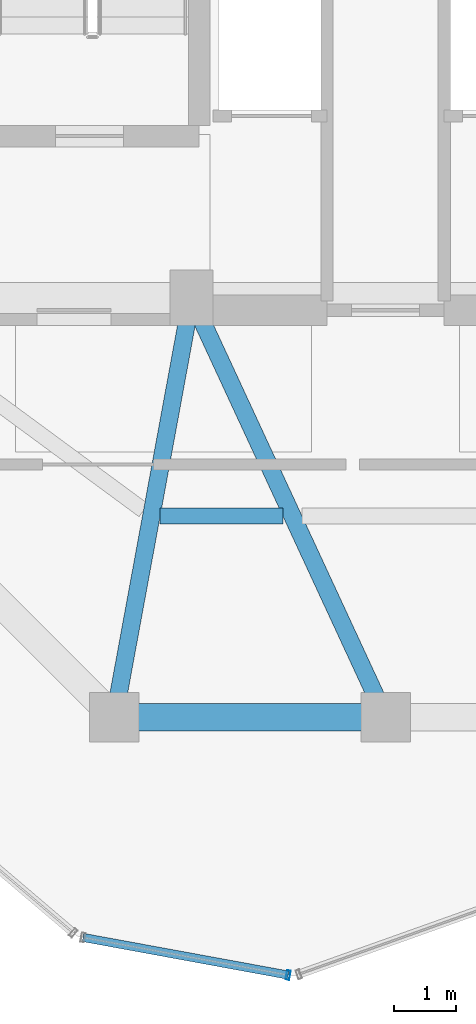
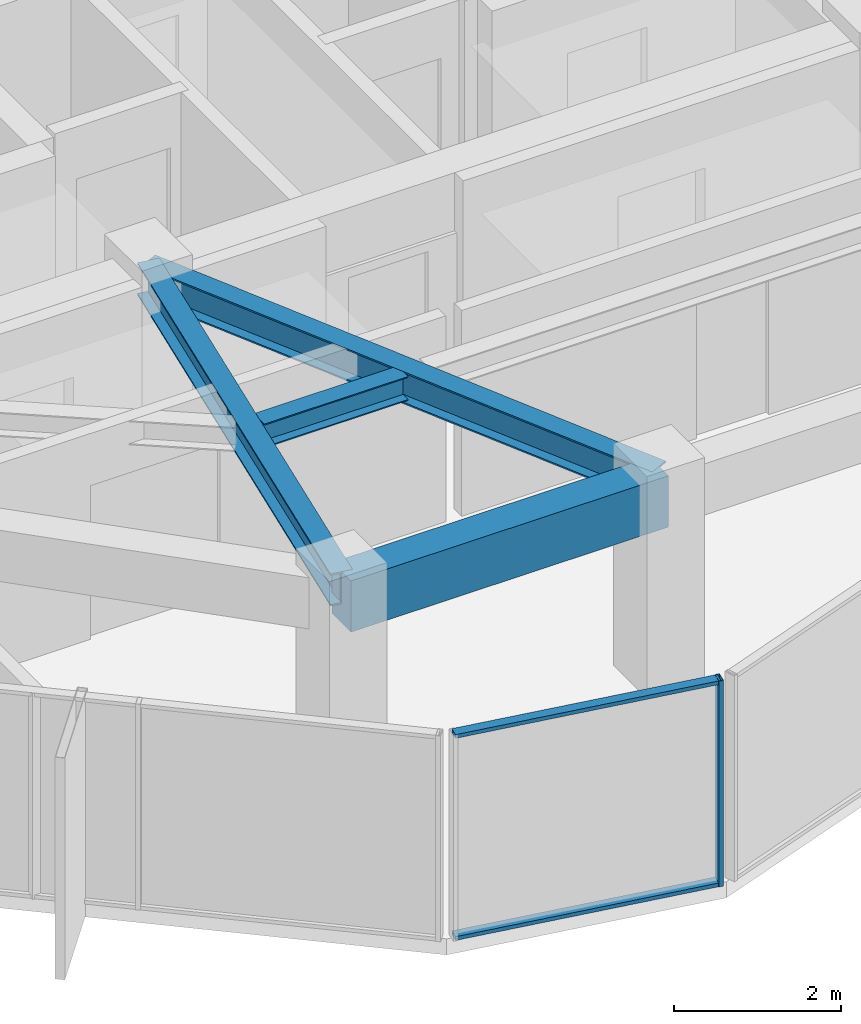
# One storey, part 5 of 29: 4 beams, 3 members, 1 element without a shape of its own.
"""IFC4 building model written with IfcOpenShell, lengths in metres."""

from ifc_helpers import new_model, si_unit, direction, frame, origin, origin_2d, place, context, subcontext, project, spatial, rectangle, hollow_rectangle, i_section, extrude, source, transform, mapped, material, layer, layer_set, material_profile, profile_set, type_object, element, aggregate, save


model = new_model("IFC4")

# Units and contexts
model_context = context("Model", 3, precision=1e-05, world=origin(), true_north=direction((0.0, 1.0)))
body_context = subcontext(model_context, "Body", "Model", "MODEL_VIEW")
ifc_project = project(units=[si_unit("LENGTHUNIT", "METRE"), si_unit("AREAUNIT", "SQUARE_METRE"), si_unit("VOLUMEUNIT", "CUBIC_METRE"), si_unit("PLANEANGLEUNIT", "RADIAN"), si_unit("MASSUNIT", "GRAM", prefix="KILO")], contexts=[model_context])

# Site, building, storey
site_placement = place(None, origin())
site = spatial("IfcSite", under=ifc_project, at=site_placement, CompositionType="ELEMENT")
building_placement = place(site_placement, origin())
building = spatial("IfcBuilding", under=site, at=building_placement, Name="Veraguas Prism Commons", CompositionType="ELEMENT")
storey_placement = place(building_placement, frame((0.0, 0.0, 244.75)))
storey = spatial("IfcBuildingStorey", under=building, at=storey_placement, Name="L69", CompositionType="ELEMENT", Elevation=244.75)

# Beams
ifc_material_1 = material(Name="Concrete C50/60", Category="concrete")
ifc_material_profile_1 = material_profile(ifc_material_1, rectangle(XDim=0.449951171875, YDim=0.75, at=origin_2d()), Name="RC450X750")
ifc_profile_set_1 = profile_set([ifc_material_profile_1], Name="Concrete C50/60")
beam_type_1 = type_object("IfcBeamType", Name="Perimeter Spandrel Upper RC 450x750", PredefinedType="SPANDREL", material=ifc_profile_set_1)
beam_1_placement = place(storey_placement, frame((19.60009765625, 10.199951171875, 2.639892578125), z_axis=(1.0, 0.0, 0.0), x_axis=(0.0, 1.0, 0.0)))
element("IfcBeam", 1, at=beam_1_placement, inside=storey, type_object=beam_type_1, Name="Perimeter Spandrel Beam L69-SP10", PredefinedType="SPANDREL", context=body_context, shape_type="SweptSolid", body=[
    extrude(rectangle(XDim=0.449951171875, YDim=0.75, at=origin_2d()), origin(), (0.0, 0.0, 1.0), 4.39990234375),
])
ifc_material_2 = material(Name="Steel ASTM A992 Grade 50", Category="steel")
ifc_material_profile_2 = material_profile(ifc_material_2, i_section(OverallWidth=0.25390625, OverallDepth=0.35302734375, WebThickness=0.009521484375, FlangeThickness=0.016357421875, at=origin_2d()), Name="W360X91")
ifc_profile_set_2 = profile_set([ifc_material_profile_2], Name="Steel ASTM A992 Grade 50")
beam_type_2 = type_object("IfcBeamType", Name="Upper Floor Joist W360x91", PredefinedType="JOIST", material=ifc_profile_set_2)
beam_2_placement = place(storey_placement, frame((20.341796875, 13.464111328125, 2.83837890625), z_axis=(1.0, 0.0, 0.0), x_axis=(0.0, 1.0, 0.0)))
element("IfcBeam", 2, at=beam_2_placement, inside=storey, type_object=beam_type_2, Name="Composite Floor Joist L69-JS10", PredefinedType="JOIST", context=body_context, shape_type="SweptSolid", body=[
    extrude(i_section(OverallWidth=0.25390625, OverallDepth=0.35302734375, WebThickness=0.009521484375, FlangeThickness=0.016357421875, at=origin_2d()), origin(), (0.0, 0.0, 1.0), 1.992431640625),
])
ifc_material_profile_3 = material_profile(ifc_material_2, i_section(OverallWidth=0.282958984375, OverallDepth=0.471923828125, WebThickness=0.013671875, FlangeThickness=0.022216796875, at=origin_2d()), Name="W460X144")
ifc_profile_set_3 = profile_set([ifc_material_profile_3], Name="Steel ASTM A992 Grade 50")
beam_type_3 = type_object("IfcBeamType", Name="Zone 4 Radial Girder W460x144", PredefinedType="BEAM", material=ifc_profile_set_3)
beam_3_placement = place(storey_placement, frame((19.60009765625, 10.199951171875, 2.779052734375), z_axis=(0.180793033327, 0.983521163524, 0.0), x_axis=(-0.983521163524, 0.180793033327, 0.0)))
element("IfcBeam", 3, at=beam_3_placement, inside=storey, type_object=beam_type_3, Name="Radial Floor Girder L69-RD10", PredefinedType="BEAM", context=body_context, shape_type="SweptSolid", body=[
    extrude(i_section(OverallWidth=0.282958984375, OverallDepth=0.471923828125, WebThickness=0.013671875, FlangeThickness=0.022216796875, at=origin_2d()), origin(), (0.0, 0.0, 1.0), 6.9140625),
])
beam_4_placement = place(storey_placement, frame((24.0, 10.199951171875, 2.779052734375), z_axis=(-0.420313834543, 0.907378796585, 0.0), x_axis=(-0.907378796585, -0.420313834543, 0.0)))
element("IfcBeam", 4, at=beam_4_placement, inside=storey, type_object=beam_type_3, Name="Radial Floor Girder L69-RD11", PredefinedType="BEAM", context=body_context, shape_type="SweptSolid", body=[
    extrude(i_section(OverallWidth=0.282958984375, OverallDepth=0.471923828125, WebThickness=0.013671875, FlangeThickness=0.022216796875, at=origin_2d()), origin(), (0.0, 0.0, 1.0), 7.494140625),
])

# Curtain wall, members
ifc_material_3 = material(Name="Anodised aluminium EN AW-6063 T6", Category="aluminium")
ifc_layer = layer(ifc_material_3, 0.14990234375, Name="Unitised Flush Curtain Wall Zone 4", Category="aluminium")
ifc_layer_set = layer_set([ifc_layer], Name="Anodised aluminium EN AW-6063 T6")
curtain_wall_type = type_object("IfcCurtainWallType", Name="Unitised Flush Curtain Wall Zone 4", PredefinedType="NOTDEFINED", material=ifc_layer_set)
curtain_wall_placement = place(storey_placement, origin())
curtain_wall = element("IfcCurtainWall", 5, at=curtain_wall_placement, inside=storey, type_object=curtain_wall_type, Name="Chamfer Curtain Wall L69-C5", PredefinedType="NOTDEFINED")
ifc_material_profile_4 = material_profile(ifc_material_3, hollow_rectangle(XDim=0.06005859375, YDim=0.14990234375, WallThickness=0.0029296875, at=origin_2d()), Name="AL60X150X3")
ifc_profile_set_4 = profile_set([ifc_material_profile_4], Name="Anodised aluminium EN AW-6063 T6")
member_type_1 = type_object("IfcMemberType", Name="Curtain Wall Mullion Upper AL 60x150x3", PredefinedType="MULLION", material=ifc_profile_set_4)
shared_shape_1 = source(origin(), body_context, "Body", "SweptSolid", [
    extrude(hollow_rectangle(XDim=0.06005859375, YDim=0.14990234375, WallThickness=0.0029296875, at=origin_2d()), origin(), (0.0, 0.0, 1.0), 3.014892578125),
])
member_1_placement = place(storey_placement, frame((22.419189453125, 6.018310546875, 0.0), z_axis=(0.0, 0.0, 1.0), x_axis=(0.983568635104, -0.180534595133, 0.0)))
member_1 = element("IfcMember", 6, at=member_1_placement, type_object=member_type_1, Name="CW-Z4 Mullion 2", PredefinedType="MULLION", context=body_context, shape_type="MappedRepresentation", body=[
    mapped(shared_shape_1, transform((0.0, 0.0, 0.0), scale=1.0)),
])
ifc_material_profile_5 = material_profile(ifc_material_3, hollow_rectangle(XDim=0.054931640625, YDim=0.135009765625, WallThickness=0.0029296875, at=origin_2d()), Name="AL55X135X3")
ifc_profile_set_5 = profile_set([ifc_material_profile_5], Name="Anodised aluminium EN AW-6063 T6")
member_type_2 = type_object("IfcMemberType", Name="Curtain Wall Transom Standard AL 55x135x3", PredefinedType="USERDEFINED", material=ifc_profile_set_5)
shared_shape_2 = source(origin(), body_context, "Body", "SweptSolid", [
    extrude(hollow_rectangle(XDim=0.054931640625, YDim=0.135009765625, WallThickness=0.0029296875, at=origin_2d()), origin(), (0.0, 0.0, 1.0), 3.382568359375),
])
member_2_placement = place(storey_placement, frame((19.09228515625, 6.62890625, 0.027587890625), z_axis=(0.983571759336, -0.180517573208, 0.0), x_axis=(0.0, 0.0, 1.0)))
member_2 = element("IfcMember", 7, at=member_2_placement, type_object=member_type_2, Name="CW-Z4 Transom 1", ObjectType="TRANSOM", PredefinedType="USERDEFINED", context=body_context, shape_type="MappedRepresentation", body=[
    mapped(shared_shape_2, transform((0.0, 0.0, 0.0), scale=1.0)),
])
member_3_placement = place(storey_placement, frame((19.09228515625, 6.62890625, 2.987548828125), z_axis=(0.983571759336, -0.180517573208, 0.0), x_axis=(0.0, 0.0, 1.0)))
member_3 = element("IfcMember", 8, at=member_3_placement, type_object=member_type_2, Name="CW-Z4 Transom 2", ObjectType="TRANSOM", PredefinedType="USERDEFINED", context=body_context, shape_type="MappedRepresentation", body=[
    mapped(shared_shape_2, transform((0.0, 0.0, 0.0), scale=1.0)),
])
aggregate(curtain_wall, [member_1, member_2, member_3])

save(model, "model.ifc")
